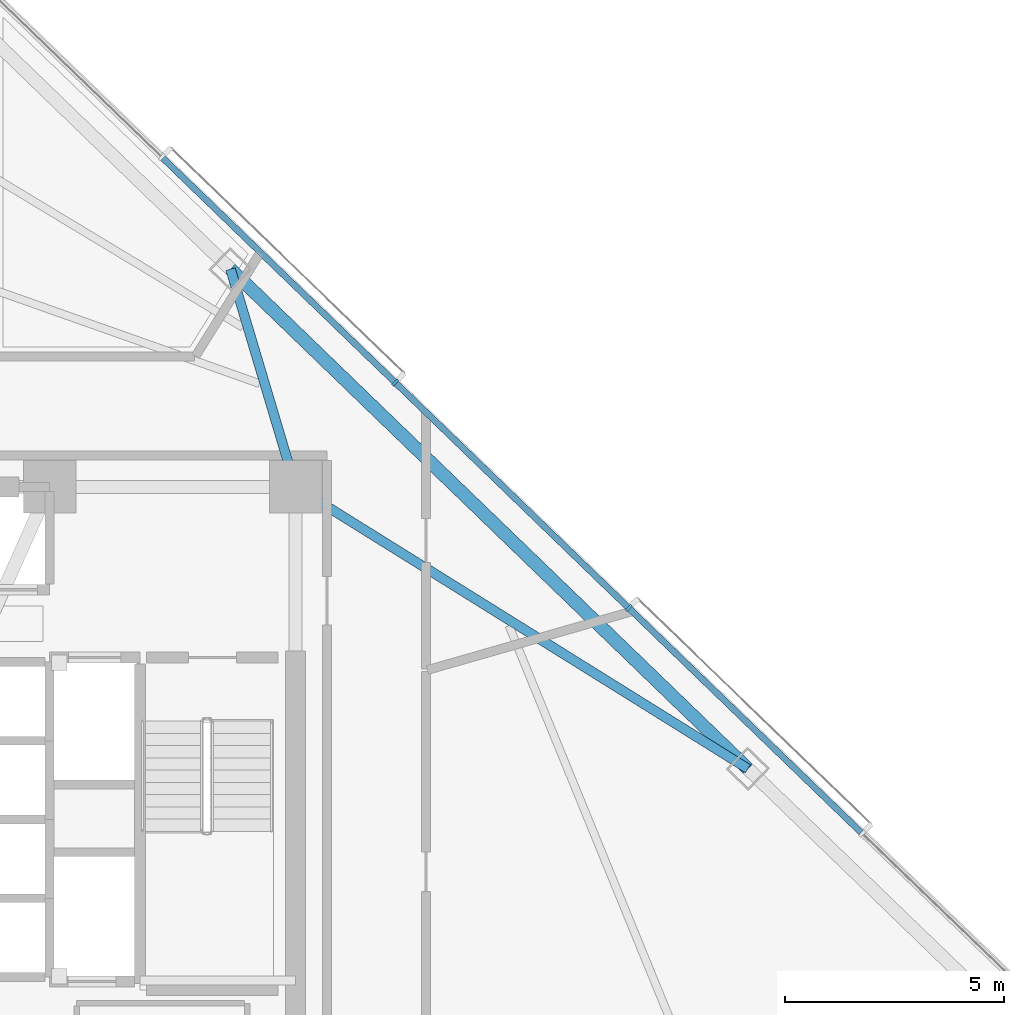
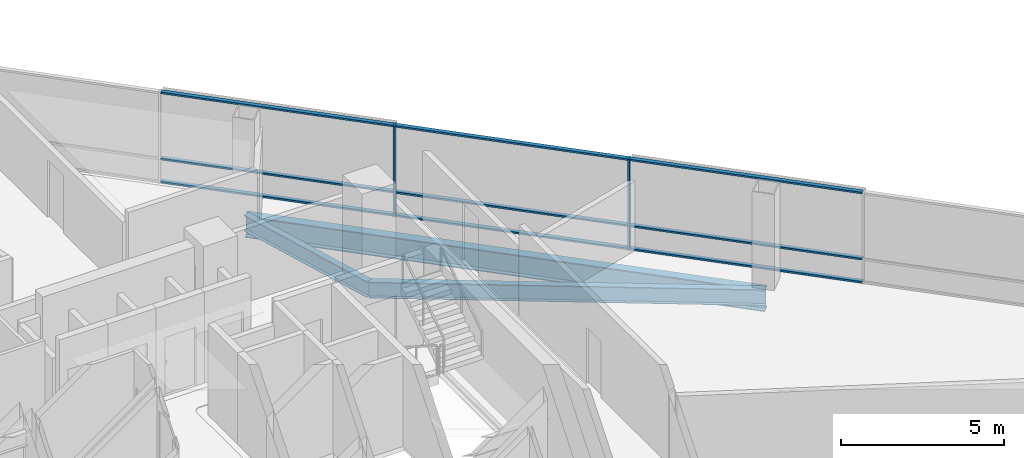
# One storey, part 7 of 17: 11 members, 3 beams, 1 element without a shape of its own.
"""IFC4 building model written with IfcOpenShell, lengths in metres."""

from ifc_helpers import new_model, si_unit, direction, frame, origin, origin_2d, place, context, subcontext, project, spatial, rectangle, i_section, extrude, material, layer, layer_set, material_profile, profile_set, type_object, element, aggregate, save


model = new_model("IFC4")

# Units and contexts
model_context = context("Model", 3, precision=1e-05, world=origin(), true_north=direction((0.0, 1.0)))
body_context = subcontext(model_context, "Body", "Model", "MODEL_VIEW")
ifc_project = project(units=[si_unit("LENGTHUNIT", "METRE"), si_unit("AREAUNIT", "SQUARE_METRE"), si_unit("VOLUMEUNIT", "CUBIC_METRE"), si_unit("PLANEANGLEUNIT", "RADIAN"), si_unit("MASSUNIT", "GRAM", prefix="KILO")], contexts=[model_context])

# Site, building, storey
site_placement = place(None, origin())
site = spatial("IfcSite", under=ifc_project, at=site_placement, CompositionType="ELEMENT")
building_placement = place(site_placement, origin())
building = spatial("IfcBuilding", under=site, at=building_placement, Name="Tharavind Bronze Gate", CompositionType="ELEMENT")
storey_placement = place(building_placement, frame((0.0, 0.0, 93.300048828125)))
storey = spatial("IfcBuildingStorey", under=building, at=storey_placement, Name="L23", CompositionType="ELEMENT", Elevation=93.300048828125)

# Curtain wall, members
ifc_material_1 = material(Name="Anodised Bronze Aluminium", Category="aluminium")
ifc_layer = layer(ifc_material_1, 0.219970703125)
ifc_layer_set = layer_set([ifc_layer], Name="Anodised Bronze Aluminium")
curtain_wall_type = type_object("IfcCurtainWallType", Name="UNITISED CURTAIN WALL LOWER OFFICE", PredefinedType="USERDEFINED", material=ifc_layer_set)
curtain_wall_placement = place(storey_placement, origin())
curtain_wall = element("IfcCurtainWall", 1, at=curtain_wall_placement, inside=storey, type_object=curtain_wall_type, Name="L23 unitised curtain wall lower office CW-L23-S3", ObjectType="UNITISED CURTAIN WALL", PredefinedType="USERDEFINED")
member_type_1 = type_object("IfcMemberType", Name="CURTAIN WALL BRONZE MULLION 65X180", PredefinedType="MULLION", material=ifc_material_1)
member_1_placement = place(storey_placement, frame((16.512939453125, 4.83251953125, 0.0), z_axis=(0.0, 0.0, 1.0), x_axis=(-0.719341012745, 0.694657114973, 0.0)))
member_1 = element("IfcMember", 2, at=member_1_placement, type_object=member_type_1, Name="CW-L23-S3 mullion 4", PredefinedType="MULLION", context=body_context, shape_type="SweptSolid", body=[
    extrude(rectangle(XDim=0.06494140625, YDim=0.179931640625, at=origin_2d()), origin(), (0.0, 0.0, 1.0), 3.409912109375),
])
member_2_placement = place(storey_placement, frame((11.1796875, 9.98291015625, 0.0), z_axis=(0.0, 0.0, 1.0), x_axis=(-0.719341012745, 0.694657114973, 0.0)))
member_2 = element("IfcMember", 3, at=member_2_placement, type_object=member_type_1, Name="CW-L23-S3 mullion 5", PredefinedType="MULLION", context=body_context, shape_type="SweptSolid", body=[
    extrude(rectangle(XDim=0.06494140625, YDim=0.179931640625, at=origin_2d()), origin(), (0.0, 0.0, 1.0), 3.409912109375),
])
member_type_2 = type_object("IfcMemberType", Name="CURTAIN WALL BRONZE TRANSOM 65X140", PredefinedType="USERDEFINED", material=ifc_material_1)
member_3_placement = place(storey_placement, frame((19.1796875, 2.25732421875, 0.0), z_axis=(0.0, 0.0, 1.0), x_axis=(-0.719341012745, 0.694657114973, 0.0)))
member_3 = element("IfcMember", 4, at=member_3_placement, type_object=member_type_2, Name="CW-L23-S3 transom TB3", ObjectType="TRANSOM", PredefinedType="USERDEFINED", context=body_context, shape_type="SweptSolid", body=[
    extrude(rectangle(XDim=7.361083984375, YDim=0.139892578125, at=origin_2d()), origin(), (0.0, 0.0, 1.0), 0.06494140625),
])
member_4_placement = place(storey_placement, frame((19.1796875, 2.25732421875, 0.867431640625), z_axis=(0.0, 0.0, 1.0), x_axis=(-0.719341012745, 0.694657114973, 0.0)))
member_4 = element("IfcMember", 5, at=member_4_placement, type_object=member_type_2, Name="CW-L23-S3 transom TS3", ObjectType="TRANSOM", PredefinedType="USERDEFINED", context=body_context, shape_type="SweptSolid", body=[
    extrude(rectangle(XDim=7.361083984375, YDim=0.139892578125, at=origin_2d()), origin(), (0.0, 0.0, 1.0), 0.06494140625),
])
member_5_placement = place(storey_placement, frame((19.1796875, 2.25732421875, 3.344970703125), z_axis=(0.0, 0.0, 1.0), x_axis=(-0.719341012745, 0.694657114973, 0.0)))
member_5 = element("IfcMember", 6, at=member_5_placement, type_object=member_type_2, Name="CW-L23-S3 transom TT3", ObjectType="TRANSOM", PredefinedType="USERDEFINED", context=body_context, shape_type="SweptSolid", body=[
    extrude(rectangle(XDim=7.361083984375, YDim=0.139892578125, at=origin_2d()), origin(), (0.0, 0.0, 1.0), 0.06494140625),
])
member_6_placement = place(storey_placement, frame((13.84619140625, 7.40771484375, 0.0), z_axis=(0.0, 0.0, 1.0), x_axis=(-0.719341012745, 0.694657114973, 0.0)))
member_6 = element("IfcMember", 7, at=member_6_placement, type_object=member_type_2, Name="CW-L23-S3 transom TB4", ObjectType="TRANSOM", PredefinedType="USERDEFINED", context=body_context, shape_type="SweptSolid", body=[
    extrude(rectangle(XDim=7.361083984375, YDim=0.139892578125, at=origin_2d()), origin(), (0.0, 0.0, 1.0), 0.06494140625),
])
member_7_placement = place(storey_placement, frame((13.84619140625, 7.40771484375, 0.867431640625), z_axis=(0.0, 0.0, 1.0), x_axis=(-0.719341012745, 0.694657114973, 0.0)))
member_7 = element("IfcMember", 8, at=member_7_placement, type_object=member_type_2, Name="CW-L23-S3 transom TS4", ObjectType="TRANSOM", PredefinedType="USERDEFINED", context=body_context, shape_type="SweptSolid", body=[
    extrude(rectangle(XDim=7.361083984375, YDim=0.139892578125, at=origin_2d()), origin(), (0.0, 0.0, 1.0), 0.06494140625),
])
member_8_placement = place(storey_placement, frame((13.84619140625, 7.40771484375, 3.344970703125), z_axis=(0.0, 0.0, 1.0), x_axis=(-0.719341012745, 0.694657114973, 0.0)))
member_8 = element("IfcMember", 9, at=member_8_placement, type_object=member_type_2, Name="CW-L23-S3 transom TT4", ObjectType="TRANSOM", PredefinedType="USERDEFINED", context=body_context, shape_type="SweptSolid", body=[
    extrude(rectangle(XDim=7.361083984375, YDim=0.139892578125, at=origin_2d()), origin(), (0.0, 0.0, 1.0), 0.06494140625),
])
member_9_placement = place(storey_placement, frame((8.512939453125, 12.55810546875, 0.0), z_axis=(0.0, 0.0, 1.0), x_axis=(-0.719341012745, 0.694657114973, 0.0)))
member_9 = element("IfcMember", 10, at=member_9_placement, type_object=member_type_2, Name="CW-L23-S3 transom TB5", ObjectType="TRANSOM", PredefinedType="USERDEFINED", context=body_context, shape_type="SweptSolid", body=[
    extrude(rectangle(XDim=7.361083984375, YDim=0.139892578125, at=origin_2d()), origin(), (0.0, 0.0, 1.0), 0.06494140625),
])
member_10_placement = place(storey_placement, frame((8.512939453125, 12.55810546875, 0.867431640625), z_axis=(0.0, 0.0, 1.0), x_axis=(-0.719341012745, 0.694657114973, 0.0)))
member_10 = element("IfcMember", 11, at=member_10_placement, type_object=member_type_2, Name="CW-L23-S3 transom TS5", ObjectType="TRANSOM", PredefinedType="USERDEFINED", context=body_context, shape_type="SweptSolid", body=[
    extrude(rectangle(XDim=7.361083984375, YDim=0.139892578125, at=origin_2d()), origin(), (0.0, 0.0, 1.0), 0.06494140625),
])
member_11_placement = place(storey_placement, frame((8.512939453125, 12.55810546875, 3.344970703125), z_axis=(0.0, 0.0, 1.0), x_axis=(-0.719341012745, 0.694657114973, 0.0)))
member_11 = element("IfcMember", 12, at=member_11_placement, type_object=member_type_2, Name="CW-L23-S3 transom TT5", ObjectType="TRANSOM", PredefinedType="USERDEFINED", context=body_context, shape_type="SweptSolid", body=[
    extrude(rectangle(XDim=7.361083984375, YDim=0.139892578125, at=origin_2d()), origin(), (0.0, 0.0, 1.0), 0.06494140625),
])
aggregate(curtain_wall, [member_1, member_2, member_3, member_4, member_5, member_6, member_7, member_8, member_9, member_10, member_11])

# Beams
ifc_material_2 = material(Name="Steel S355", Category="steel")
ifc_material_profile_1 = material_profile(ifc_material_2, i_section(OverallWidth=0.219970703125, OverallDepth=0.60009765625, WebThickness=0.011962890625, FlangeThickness=0.01904296875, at=origin_2d()), Name="IPE600")
ifc_profile_set_1 = profile_set([ifc_material_profile_1], Name="Steel S355")
beam_type_1 = type_object("IfcBeamType", Name="PRIMARY GIRDER IPE600", PredefinedType="USERDEFINED", material=ifc_profile_set_1)
beam_1_placement = place(storey_placement, frame((19.236083984375, 1.160400390625, -0.489990234375), z_axis=(-0.848750917637, 0.528792851513, 0.0), x_axis=(-0.528792851513, -0.848750917637, 0.0)))
element("IfcBeam", 13, at=beam_1_placement, inside=storey, type_object=beam_type_1, Name="L23 primary girder ipe600 BM-L23-RAD10", ObjectType="GIRDER", PredefinedType="USERDEFINED", context=body_context, shape_type="SweptSolid", body=[
    extrude(i_section(OverallWidth=0.219970703125, OverallDepth=0.60009765625, WebThickness=0.011962890625, FlangeThickness=0.01904296875, at=origin_2d()), origin(), (0.0, 0.0, 1.0), 12.17822265625),
])
beam_2_placement = place(storey_placement, frame((7.41455078125, 12.576171875, -0.489990234375), z_axis=(0.286027795034, -0.958221321234, 0.0), x_axis=(0.958221321234, 0.286027795034, 0.0)))
element("IfcBeam", 14, at=beam_2_placement, inside=storey, type_object=beam_type_1, Name="L23 primary girder ipe600 BM-L23-RAD11", ObjectType="GIRDER", PredefinedType="USERDEFINED", context=body_context, shape_type="SweptSolid", body=[
    extrude(i_section(OverallWidth=0.219970703125, OverallDepth=0.60009765625, WebThickness=0.011962890625, FlangeThickness=0.01904296875, at=origin_2d()), origin(), (0.0, 0.0, 1.0), 5.193115234375),
])
ifc_material_profile_2 = material_profile(ifc_material_2, i_section(OverallWidth=0.300048828125, OverallDepth=0.800048828125, WebThickness=0.017578125, FlangeThickness=0.032958984375, at=origin_2d()), Name="HE800B")
ifc_profile_set_2 = profile_set([ifc_material_profile_2], Name="Steel S355")
beam_type_2 = type_object("IfcBeamType", Name="RING GIRDER HE800B", PredefinedType="USERDEFINED", material=ifc_profile_set_2)
beam_3_placement = place(storey_placement, frame((19.236083984375, 1.160400390625, -0.590087890625), z_axis=(-0.719344374421, 0.694653633827, 0.0), x_axis=(-0.694653633827, -0.719344374421, 0.0)))
element("IfcBeam", 15, at=beam_3_placement, inside=storey, type_object=beam_type_2, Name="L23 ring girder he800b BM-L23-PRG10", ObjectType="GIRDER", PredefinedType="USERDEFINED", context=body_context, shape_type="SweptSolid", body=[
    extrude(i_section(OverallWidth=0.300048828125, OverallDepth=0.800048828125, WebThickness=0.017578125, FlangeThickness=0.032958984375, at=origin_2d()), origin(), (0.0, 0.0, 1.0), 16.433837890625),
])

save(model, "model.ifc")
